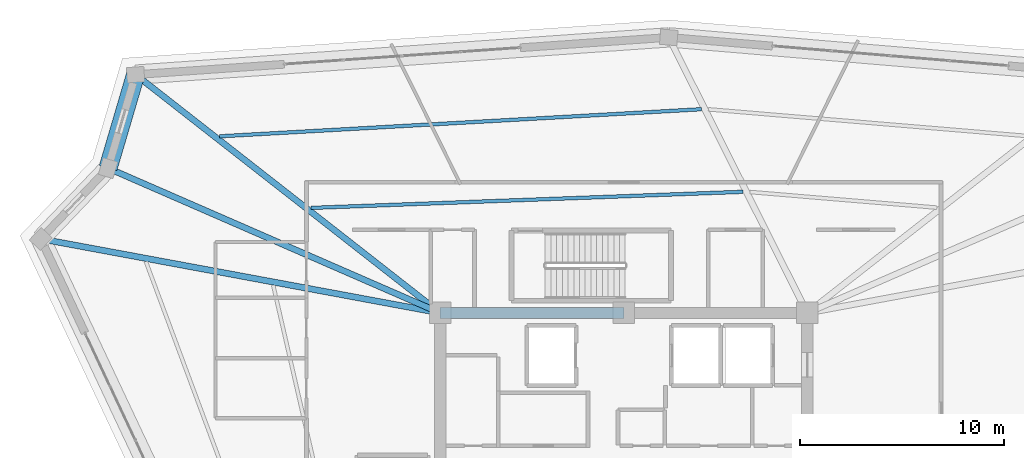
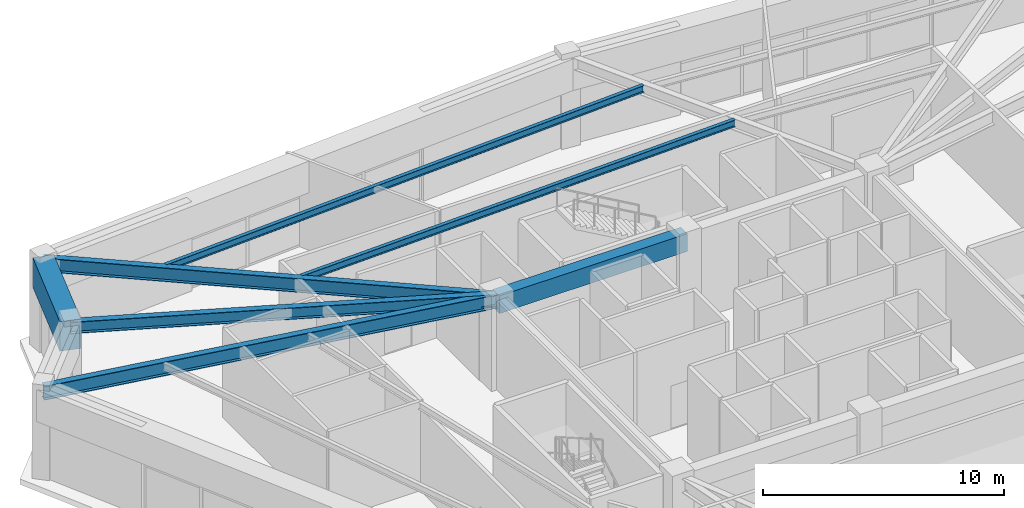
# One storey, part 22 of 40: 7 beams.
"""IFC4 building model written with IfcOpenShell, lengths in metres."""

import ifcopenshell
import ifcopenshell.guid

model = None  # the IFC model being written
_history = None  # IfcOwnerHistory: only IFC2X3 demands one
_inside = {}  # id of a spatial element -> (the spatial element, [elements in it])
_under = {}  # id of a project, library or spatial element -> (it, [spatial elements below it])
_declared = {}  # id of a project -> (the project, [libraries it declares])
_typed = {}  # id of a type object -> (the type object, [elements of that type])
_made_of = {}  # id of a material, layer set ... -> (it, [elements and type objects made of it])


def new_model(schema):
    """Start an empty IFC model of exactly this schema.

    Asked for "IFC4X3", IfcOpenShell would pick the latest addendum, in which some entities
    have other attributes; the version numbers below select the first issue.
    IFC2X3 requires an IfcOwnerHistory on every rooted entity: one is made here for all.
    """
    global model, _history
    if schema == "IFC4X3":
        model = ifcopenshell.file(schema_version=(4, 3, 0, 0))
    else:
        model = ifcopenshell.file(schema=schema)
    _inside.clear()
    _under.clear()
    _declared.clear()
    _typed.clear()
    _made_of.clear()
    _history = None
    if model.schema == "IFC2X3":
        org = make("IfcOrganization", Name="unknown")
        user = make(
            "IfcPersonAndOrganization",
            ThePerson=make("IfcPerson", FamilyName="unknown"),
            TheOrganization=org,
        )
        app = make(
            "IfcApplication",
            ApplicationDeveloper=org,
            Version="unknown",
            ApplicationFullName="unknown",
            ApplicationIdentifier="unknown",
        )
        _history = make(
            "IfcOwnerHistory",
            OwningUser=user,
            OwningApplication=app,
            ChangeAction="ADDED",
            CreationDate=0,
        )
    return model


def make(cls, **values):
    """One entity of the class cls with the attributes given. An attribute that is None is left unset."""
    return model.create_entity(
        cls, **{name: value for name, value in values.items() if value is not None}
    )


def rooted(cls, **values):
    """An entity with a GlobalId (a new one), such as an element, a storey or a relation."""
    return make(cls, GlobalId=ifcopenshell.guid.new(), OwnerHistory=_history, **values)


def si_unit(unit_type, name, prefix=None):
    """IfcSIUnit, for example si_unit("LENGTHUNIT", "METRE", prefix="MILLI")."""
    return make("IfcSIUnit", UnitType=unit_type, Prefix=prefix, Name=name)


def assignment(units):
    """IfcUnitAssignment: the units of a project."""
    return None if units is None else make("IfcUnitAssignment", Units=units)


def point(xyz):
    """IfcCartesianPoint."""
    return None if xyz is None else make("IfcCartesianPoint", Coordinates=xyz)


def direction(xyz):
    """IfcDirection."""
    return None if xyz is None else make("IfcDirection", DirectionRatios=xyz)


def frame(location, z_axis=None, x_axis=None):
    """IfcAxis2Placement3D, a coordinate frame: its origin and axes. An axis left out is left unset."""
    return make(
        "IfcAxis2Placement3D",
        Location=point(location),
        Axis=direction(z_axis),
        RefDirection=direction(x_axis),
    )


def frame_2d(location, x_axis=None):
    """IfcAxis2Placement2D, a coordinate frame in the plane: its origin and x axis."""
    return make(
        "IfcAxis2Placement2D", Location=point(location), RefDirection=direction(x_axis)
    )


def origin():
    """The frame at (0, 0, 0) with its axes left unset."""
    return frame((0.0, 0.0, 0.0))


def origin_2d():
    """The frame at (0, 0) in the plane with its x axis left unset."""
    return frame_2d((0.0, 0.0))


def place(relative_to, where):
    """IfcLocalPlacement: puts the frame where relative to a parent placement (None: the world)."""
    return make(
        "IfcLocalPlacement", PlacementRelTo=relative_to, RelativePlacement=where
    )


def context(
    kind, dimensions, precision=None, world=None, true_north=None, identifier=None
):
    """IfcGeometricRepresentationContext, for example the 3D "Model" context."""
    return make(
        "IfcGeometricRepresentationContext",
        ContextIdentifier=identifier,
        ContextType=kind,
        CoordinateSpaceDimension=dimensions,
        Precision=precision,
        WorldCoordinateSystem=world,
        TrueNorth=true_north,
    )


def subcontext(parent, identifier, kind, view, scale=None):
    """IfcGeometricRepresentationSubContext, for example "Body" below "Model"."""
    return make(
        "IfcGeometricRepresentationSubContext",
        ContextIdentifier=identifier,
        ContextType=kind,
        ParentContext=parent,
        TargetScale=scale,
        TargetView=view,
    )


def project(units=None, contexts=None):
    """IfcProject with its units and contexts."""
    return rooted(
        "IfcProject",
        Name="project",
        RepresentationContexts=contexts,
        UnitsInContext=assignment(units),
    )


def spatial(cls, under=None, at=None, **own):
    """A site, building, storey or space (cls), placed at a placement, below another one or the project."""
    s = rooted(cls, ObjectPlacement=at, **own)
    if under is not None:
        _under.setdefault(under.id(), (under, []))[1].append(s)
    return s


def profile(cls, at=None, kind="AREA", **sizes):
    """A parametric profile (cls). Its sizes go by their IFC names, for example OverallWidth=200.0."""
    return make(cls, ProfileType=kind, Position=at, **sizes)


def rectangle(**sizes):
    """IfcRectangleProfileDef."""
    return profile("IfcRectangleProfileDef", **sizes)


def i_section(**sizes):
    """IfcIShapeProfileDef."""
    return profile("IfcIShapeProfileDef", **sizes)


def extrude(swept, where, along, depth):
    """IfcExtrudedAreaSolid: the profile swept, set in the frame where, extruded along a direction by depth."""
    return make(
        "IfcExtrudedAreaSolid",
        SweptArea=swept,
        Position=where,
        ExtrudedDirection=direction(along),
        Depth=depth,
    )


def shape(context_of_items, identifier, shape_type, items):
    """IfcShapeRepresentation: the items that make up one representation, for example the "Body"."""
    return make(
        "IfcShapeRepresentation",
        ContextOfItems=context_of_items,
        RepresentationIdentifier=identifier,
        RepresentationType=shape_type,
        Items=items,
    )


def source(mapping_origin, context_of_items, identifier, shape_type, items):
    """IfcRepresentationMap: a shape defined once, which mapped items show again and again."""
    return make(
        "IfcRepresentationMap",
        MappingOrigin=mapping_origin,
        MappedRepresentation=shape(context_of_items, identifier, shape_type, items),
    )


def transform(
    local_origin,
    x_axis=None,
    y_axis=None,
    z_axis=None,
    scale=None,
    scale2=None,
    scale3=None,
    uniform=True,
):
    """IfcCartesianTransformationOperator3D, or its non-uniform kind. x_axis, y_axis, z_axis: its Axis1, 2, 3."""
    if uniform:
        return make(
            "IfcCartesianTransformationOperator3D",
            Axis1=direction(x_axis),
            Axis2=direction(y_axis),
            LocalOrigin=point(local_origin),
            Scale=scale,
            Axis3=direction(z_axis),
        )
    return make(
        "IfcCartesianTransformationOperator3DnonUniform",
        Axis1=direction(x_axis),
        Axis2=direction(y_axis),
        LocalOrigin=point(local_origin),
        Scale=scale,
        Axis3=direction(z_axis),
        Scale2=scale2,
        Scale3=scale3,
    )


def mapped(mapping_source, mapping_target):
    """IfcMappedItem: shows the shape of a source again, moved by a transform."""
    return make(
        "IfcMappedItem", MappingSource=mapping_source, MappingTarget=mapping_target
    )


def material(Name=None, Category=None):
    """IfcMaterial."""
    return make("IfcMaterial", Name=Name, Category=Category)


def material_profile(
    of_material, cross_section, Name=None, Category=None, Priority=None
):
    """IfcMaterialProfile: a cross section and its material."""
    return make(
        "IfcMaterialProfile",
        Name=Name,
        Material=of_material,
        Profile=cross_section,
        Priority=Priority,
        Category=Category,
    )


def profile_set(profiles, Name=None, composite=None):
    """IfcMaterialProfileSet."""
    return make(
        "IfcMaterialProfileSet",
        Name=Name,
        MaterialProfiles=profiles,
        CompositeProfile=composite,
    )


def made_of(thing, what):
    """Note that an element or type object is made of a material, layer set ...; save() writes the relation."""
    if what is not None:
        _made_of.setdefault(what.id(), (what, []))[1].append(thing)
    return thing


def type_object(cls, material=None, **own):
    """A type object (cls), such as IfcWallType, which elements share."""
    return made_of(rooted(cls, **own), material)


def element(
    cls,
    number,
    at=None,
    inside=None,
    cuts=None,
    type_object=None,
    material=None,
    context=None,
    identifier="Body",
    shape_type=None,
    held_by="IfcProductDefinitionShape",
    body=None,
    shapes=None,
    **own,
):
    """One element of the class cls, such as IfcWall. Its Tag is "e" and its number.

    at: its placement. inside: the storey or other place that contains it. cuts: it is an
    opening in that element (IfcRelVoidsElement). A single representation is given by context,
    identifier, shape_type and body (its items); several are given by shapes. held_by: the class
    of the entity that holds the representations. save() writes the other relations.
    """
    e = rooted(cls, Tag="e%d" % number, ObjectPlacement=at, **own)
    if body is not None:
        shapes = [shape(context, identifier, shape_type, body)]
    if shapes is not None:
        e.Representation = make(held_by, Representations=shapes)
    if inside is not None:
        _inside.setdefault(inside.id(), (inside, []))[1].append(e)
    if cuts is not None:
        rooted(
            "IfcRelVoidsElement", RelatingBuildingElement=cuts, RelatedOpeningElement=e
        )
    if type_object is not None:
        _typed.setdefault(type_object.id(), (type_object, []))[1].append(e)
    return made_of(e, material)


def aggregate(whole, parts):
    """IfcRelAggregates: a whole, such as a stair, and the parts it consists of."""
    return rooted("IfcRelAggregates", RelatingObject=whole, RelatedObjects=parts)


def save(model, path):
    """Write the relations noted so far, then the file.

    IfcRelAggregates (storeys below a building ...), IfcRelContainedInSpatialStructure (elements
    in a storey), IfcRelDefinesByType, IfcRelAssociatesMaterial and IfcRelDeclares: one each for
    every whole, place, type object, material and project.
    """
    for whole, parts in _under.values():
        aggregate(whole, parts)
    for where, things in _inside.values():
        rooted(
            "IfcRelContainedInSpatialStructure",
            RelatedElements=things,
            RelatingStructure=where,
        )
    for kind, things in _typed.values():
        rooted("IfcRelDefinesByType", RelatedObjects=things, RelatingType=kind)
    for what, things in _made_of.values():
        rooted("IfcRelAssociatesMaterial", RelatedObjects=things, RelatingMaterial=what)
    for by, libraries in _declared.values():
        rooted("IfcRelDeclares", RelatingContext=by, RelatedDefinitions=libraries)
    model.write(path)


model = new_model("IFC4")

# Units and contexts
model_context = context("Model", 3, precision=1e-05, world=origin(), true_north=direction((0.0, 1.0)))
body_context = subcontext(model_context, "Body", "Model", "MODEL_VIEW")
ifc_project = project(units=[si_unit("LENGTHUNIT", "METRE"), si_unit("AREAUNIT", "SQUARE_METRE"), si_unit("VOLUMEUNIT", "CUBIC_METRE"), si_unit("PLANEANGLEUNIT", "RADIAN"), si_unit("MASSUNIT", "GRAM", prefix="KILO")], contexts=[model_context])

# Site, building, storey
site_placement = place(None, origin())
site = spatial("IfcSite", under=ifc_project, at=site_placement, CompositionType="ELEMENT")
building_placement = place(site_placement, origin())
building = spatial("IfcBuilding", under=site, at=building_placement, Name="Liaohun Quay Tower", CompositionType="ELEMENT")
storey_placement = place(building_placement, frame((0.0, 0.0, 351.0)))
storey = spatial("IfcBuildingStorey", under=building, at=storey_placement, Name="L91", CompositionType="ELEMENT", Elevation=351.0)

# Beams
ifc_material_1 = material(Name="Concrete C55", Category="concrete")
ifc_material_profile_1 = material_profile(ifc_material_1, rectangle(XDim=0.550048828125, YDim=0.89990234375, at=origin_2d()), Name="RC550x900")
ifc_profile_set_1 = profile_set([ifc_material_profile_1], Name="Concrete C55")
beam_type_1 = type_object("IfcBeamType", Name="BM-CPL-2", PredefinedType="LINTEL", material=ifc_profile_set_1)
shared_shape_1 = source(origin(), body_context, "Body", "SweptSolid", [
    extrude(rectangle(XDim=0.550048828125, YDim=0.89990234375, at=origin_2d()), origin(), (0.0, 0.0, 1.0), 9.0),
])
beam_1_placement = place(storey_placement, frame((60.0, 61.5, 4.070068359375), z_axis=(-1.0, 0.0, 0.0), x_axis=(0.0, -1.0, 0.0)))
element("IfcBeam", 1, at=beam_1_placement, inside=storey, type_object=beam_type_1, Name="L91 Core Coupling/Ring Beam CC5-CC6", PredefinedType="LINTEL", context=body_context, shape_type="MappedRepresentation", body=[
    mapped(shared_shape_1, transform((0.0, 0.0, 0.0), x_axis=(1.0, 0.0, 0.0), y_axis=(0.0, 1.0, 0.0), z_axis=(0.0, 0.0, 1.0), scale=1.0)),
])
ifc_material_profile_2 = material_profile(ifc_material_1, rectangle(XDim=0.89990234375, YDim=1.5, at=origin_2d()), Name="RC900x1500")
ifc_profile_set_2 = profile_set([ifc_material_profile_2], Name="Concrete C55")
beam_type_2 = type_object("IfcBeamType", Name="BM-CAN-RING", PredefinedType="BEAM", material=ifc_profile_set_2)
shared_shape_2 = source(origin(), body_context, "Body", "SweptSolid", [
    extrude(rectangle(XDim=0.89990234375, YDim=1.5, at=origin_2d()), origin(), (0.0, 0.0, 1.0), 4.77978515625),
])
beam_2_placement = place(storey_placement, frame((34.7119140625, 68.60009765625, 3.77001953125), z_axis=(0.282658510174, 0.959220603733, 0.0), x_axis=(-0.959220603733, 0.282658510174, 0.0)))
element("IfcBeam", 2, at=beam_2_placement, inside=storey, type_object=beam_type_2, Name="L91 Precast Spandrel Beam PC04-PC05", PredefinedType="BEAM", context=body_context, shape_type="MappedRepresentation", body=[
    mapped(shared_shape_2, transform((0.0, 0.0, 0.0), x_axis=(1.0, 0.0, 0.0), y_axis=(0.0, 1.0, 0.0), z_axis=(0.0, 0.0, 1.0), scale=1.0)),
])
ifc_material_2 = material(Name="Steel Q355D", Category="steel")
ifc_material_profile_3 = material_profile(ifc_material_2, i_section(OverallWidth=0.300048828125, OverallDepth=0.699951171875, WebThickness=0.012939453125, FlangeThickness=0.02392578125, at=origin_2d()), Name="HN700x300x13x24")
ifc_profile_set_3 = profile_set([ifc_material_profile_3], Name="Steel Q355D")
beam_type_3 = type_object("IfcBeamType", Name="BM-RAD-U1", PredefinedType="BEAM", material=ifc_profile_set_3)
shared_shape_3 = source(origin(), body_context, "Body", "SweptSolid", [
    extrude(i_section(OverallWidth=0.300048828125, OverallDepth=0.699951171875, WebThickness=0.012939453125, FlangeThickness=0.02392578125, at=origin_2d()), origin(), (0.0, 0.0, 1.0), 19.9228515625),
])
beam_3_placement = place(storey_placement, frame((51.0, 61.5, 4.169921875), z_axis=(-0.983250623213, 0.182258640266, 0.0), x_axis=(-0.182258640266, -0.983250623213, 0.0)))
element("IfcBeam", 3, at=beam_3_placement, inside=storey, type_object=beam_type_3, Name="L91 Radial Primary Girder CC6-PC03", PredefinedType="BEAM", context=body_context, shape_type="MappedRepresentation", body=[
    mapped(shared_shape_3, transform((0.0, 0.0, 0.0), x_axis=(1.0, 0.0, 0.0), y_axis=(0.0, 1.0, 0.0), z_axis=(0.0, 0.0, 1.0), scale=1.0)),
])
ifc_material_profile_4 = material_profile(ifc_material_2, i_section(OverallWidth=0.300048828125, OverallDepth=0.587890625, WebThickness=0.011962890625, FlangeThickness=0.02001953125, at=origin_2d()), Name="HM588x300x12x20")
ifc_profile_set_4 = profile_set([ifc_material_profile_4], Name="Steel Q355D")
beam_type_4 = type_object("IfcBeamType", Name="BM-RAD-U2", PredefinedType="BEAM", material=ifc_profile_set_4)
shared_shape_4 = source(origin(), body_context, "Body", "SweptSolid", [
    extrude(i_section(OverallWidth=0.300048828125, OverallDepth=0.587890625, WebThickness=0.011962890625, FlangeThickness=0.02001953125, at=origin_2d()), origin(), (0.0, 0.0, 1.0), 17.768310546875),
])
beam_4_placement = place(storey_placement, frame((51.0, 61.5, 4.22607421875), z_axis=(-0.916692609329, 0.39959311806, 0.0), x_axis=(-0.39959311806, -0.916692609329, 0.0)))
element("IfcBeam", 4, at=beam_4_placement, inside=storey, type_object=beam_type_4, Name="L91 Radial Primary Girder CC6-PC04", PredefinedType="BEAM", context=body_context, shape_type="MappedRepresentation", body=[
    mapped(shared_shape_4, transform((0.0, 0.0, 0.0), x_axis=(1.0, 0.0, 0.0), y_axis=(0.0, 1.0, 0.0), z_axis=(0.0, 0.0, 1.0), scale=1.0)),
])
shared_shape_5 = source(origin(), body_context, "Body", "SweptSolid", [
    extrude(i_section(OverallWidth=0.300048828125, OverallDepth=0.699951171875, WebThickness=0.012939453125, FlangeThickness=0.02392578125, at=origin_2d()), origin(), (0.0, 0.0, 1.0), 18.964599609375),
])
beam_5_placement = place(storey_placement, frame((51.0, 61.5, 4.169921875), z_axis=(-0.787627231061, 0.616152046894, 0.0), x_axis=(-0.616152046894, -0.787627231061, 0.0)))
element("IfcBeam", 5, at=beam_5_placement, inside=storey, type_object=beam_type_3, Name="L91 Radial Primary Girder CC6-PC05", PredefinedType="BEAM", context=body_context, shape_type="MappedRepresentation", body=[
    mapped(shared_shape_5, transform((0.0, 0.0, 0.0), x_axis=(1.0, 0.0, 0.0), y_axis=(0.0, 1.0, 0.0), z_axis=(0.0, 0.0, 1.0), scale=1.0)),
])
ifc_material_profile_5 = material_profile(ifc_material_2, i_section(OverallWidth=0.175048828125, OverallDepth=0.35009765625, WebThickness=0.007080078125, FlangeThickness=0.010986328125, at=origin_2d()), Name="HN350x175x7x11")
ifc_profile_set_5 = profile_set([ifc_material_profile_5], Name="Steel Q355D")
beam_type_5 = type_object("IfcBeamType", Name="BM-SEC-J3", PredefinedType="JOIST", material=ifc_profile_set_5)
shared_shape_6 = source(origin(), body_context, "Body", "SweptSolid", [
    extrude(i_section(OverallWidth=0.175048828125, OverallDepth=0.35009765625, WebThickness=0.007080078125, FlangeThickness=0.010986328125, at=origin_2d()), origin(), (0.0, 0.0, 1.0), 21.20068359375),
])
beam_6_placement = place(storey_placement, frame((44.659912109375, 66.64990234375, 4.344970703125), z_axis=(0.999305431469, 0.037264656667, 0.0), x_axis=(-0.037264656667, 0.999305431469, 0.0)))
element("IfcBeam", 6, at=beam_6_placement, inside=storey, type_object=beam_type_5, Name="L91 Wing Secondary Floor Joist SJ-06", PredefinedType="JOIST", context=body_context, shape_type="MappedRepresentation", body=[
    mapped(shared_shape_6, transform((0.0, 0.0, 0.0), x_axis=(1.0, 0.0, 0.0), y_axis=(0.0, 1.0, 0.0), z_axis=(0.0, 0.0, 1.0), scale=1.0)),
])
shared_shape_7 = source(origin(), body_context, "Body", "SweptSolid", [
    extrude(i_section(OverallWidth=0.175048828125, OverallDepth=0.35009765625, WebThickness=0.007080078125, FlangeThickness=0.010986328125, at=origin_2d()), origin(), (0.0, 0.0, 1.0), 23.67333984375),
])
beam_7_placement = place(storey_placement, frame((40.174072265625, 70.159912109375, 4.344970703125), z_axis=(0.998420400891, 0.056184544886, 0.0), x_axis=(-0.056184544886, 0.998420400891, 0.0)))
element("IfcBeam", 7, at=beam_7_placement, inside=storey, type_object=beam_type_5, Name="L91 Wing Secondary Floor Joist SJ-07", PredefinedType="JOIST", context=body_context, shape_type="MappedRepresentation", body=[
    mapped(shared_shape_7, transform((0.0, 0.0, 0.0), x_axis=(1.0, 0.0, 0.0), y_axis=(0.0, 1.0, 0.0), z_axis=(0.0, 0.0, 1.0), scale=1.0)),
])

save(model, "model.ifc")
